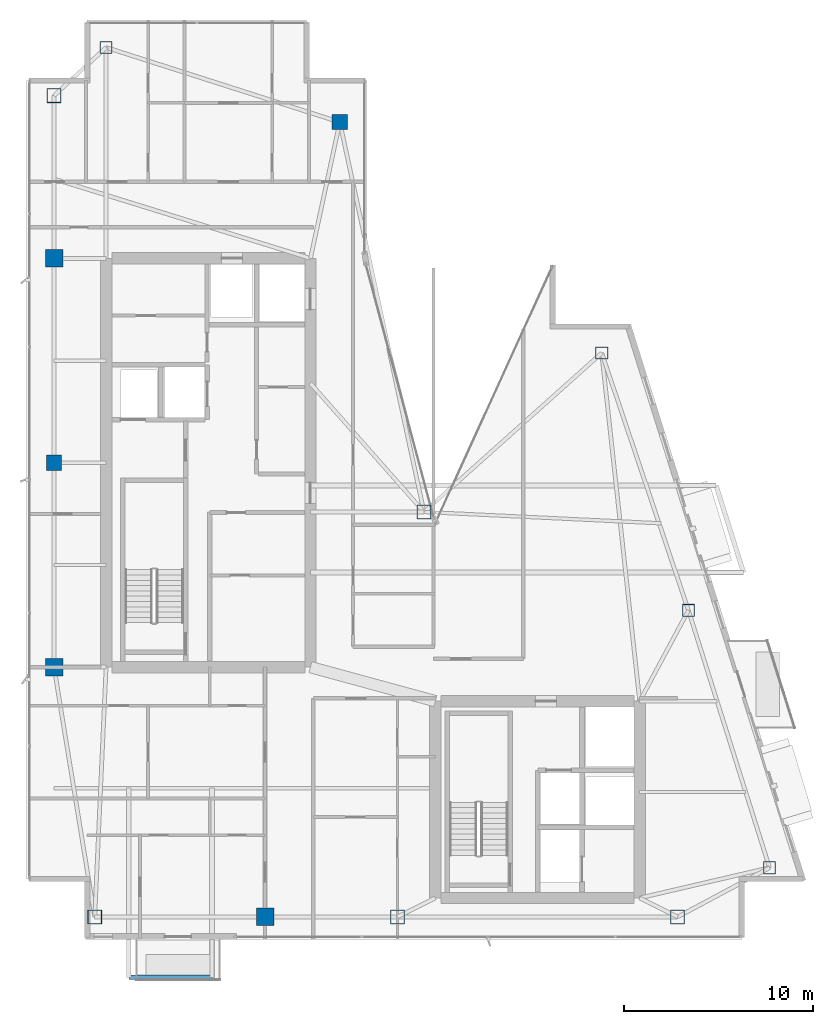
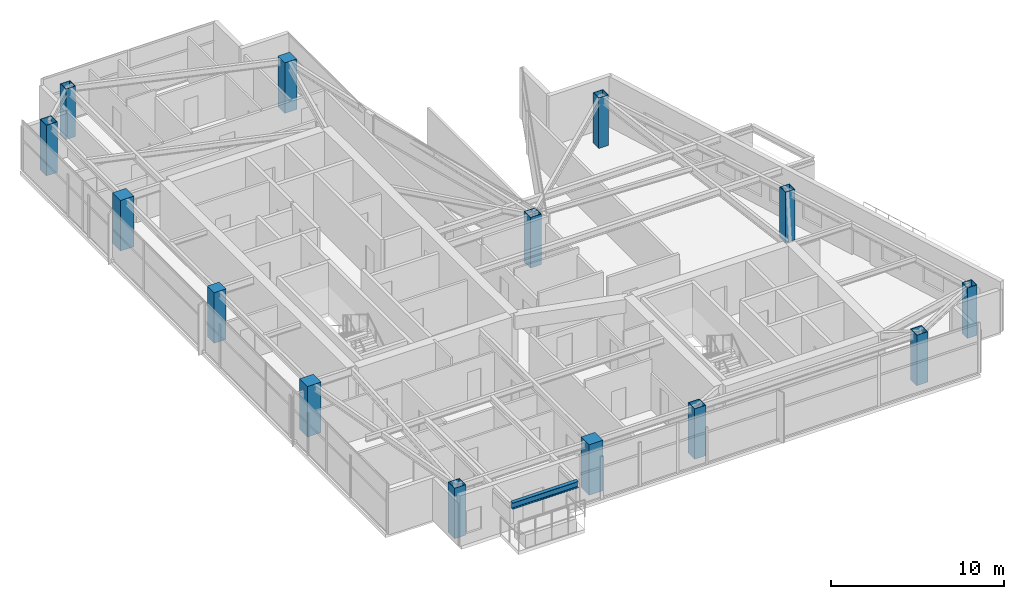
# One storey, part 1 of 27: 14 columns, 1 beam.
"""IFC4 building model written with IfcOpenShell, lengths in metres."""

import ifcopenshell
import ifcopenshell.guid

model = None  # the IFC model being written
_history = None  # IfcOwnerHistory: only IFC2X3 demands one
_inside = {}  # id of a spatial element -> (the spatial element, [elements in it])
_under = {}  # id of a project, library or spatial element -> (it, [spatial elements below it])
_declared = {}  # id of a project -> (the project, [libraries it declares])
_typed = {}  # id of a type object -> (the type object, [elements of that type])
_made_of = {}  # id of a material, layer set ... -> (it, [elements and type objects made of it])


def new_model(schema):
    """Start an empty IFC model of exactly this schema.

    Asked for "IFC4X3", IfcOpenShell would pick the latest addendum, in which some entities
    have other attributes; the version numbers below select the first issue.
    IFC2X3 requires an IfcOwnerHistory on every rooted entity: one is made here for all.
    """
    global model, _history
    if schema == "IFC4X3":
        model = ifcopenshell.file(schema_version=(4, 3, 0, 0))
    else:
        model = ifcopenshell.file(schema=schema)
    _inside.clear()
    _under.clear()
    _declared.clear()
    _typed.clear()
    _made_of.clear()
    _history = None
    if model.schema == "IFC2X3":
        org = make("IfcOrganization", Name="unknown")
        user = make(
            "IfcPersonAndOrganization",
            ThePerson=make("IfcPerson", FamilyName="unknown"),
            TheOrganization=org,
        )
        app = make(
            "IfcApplication",
            ApplicationDeveloper=org,
            Version="unknown",
            ApplicationFullName="unknown",
            ApplicationIdentifier="unknown",
        )
        _history = make(
            "IfcOwnerHistory",
            OwningUser=user,
            OwningApplication=app,
            ChangeAction="ADDED",
            CreationDate=0,
        )
    return model


def make(cls, **values):
    """One entity of the class cls with the attributes given. An attribute that is None is left unset."""
    return model.create_entity(
        cls, **{name: value for name, value in values.items() if value is not None}
    )


def rooted(cls, **values):
    """An entity with a GlobalId (a new one), such as an element, a storey or a relation."""
    return make(cls, GlobalId=ifcopenshell.guid.new(), OwnerHistory=_history, **values)


def si_unit(unit_type, name, prefix=None):
    """IfcSIUnit, for example si_unit("LENGTHUNIT", "METRE", prefix="MILLI")."""
    return make("IfcSIUnit", UnitType=unit_type, Prefix=prefix, Name=name)


def assignment(units):
    """IfcUnitAssignment: the units of a project."""
    return None if units is None else make("IfcUnitAssignment", Units=units)


def point(xyz):
    """IfcCartesianPoint."""
    return None if xyz is None else make("IfcCartesianPoint", Coordinates=xyz)


def direction(xyz):
    """IfcDirection."""
    return None if xyz is None else make("IfcDirection", DirectionRatios=xyz)


def frame(location, z_axis=None, x_axis=None):
    """IfcAxis2Placement3D, a coordinate frame: its origin and axes. An axis left out is left unset."""
    return make(
        "IfcAxis2Placement3D",
        Location=point(location),
        Axis=direction(z_axis),
        RefDirection=direction(x_axis),
    )


def frame_2d(location, x_axis=None):
    """IfcAxis2Placement2D, a coordinate frame in the plane: its origin and x axis."""
    return make(
        "IfcAxis2Placement2D", Location=point(location), RefDirection=direction(x_axis)
    )


def origin():
    """The frame at (0, 0, 0) with its axes left unset."""
    return frame((0.0, 0.0, 0.0))


def origin_2d():
    """The frame at (0, 0) in the plane with its x axis left unset."""
    return frame_2d((0.0, 0.0))


def place(relative_to, where):
    """IfcLocalPlacement: puts the frame where relative to a parent placement (None: the world)."""
    return make(
        "IfcLocalPlacement", PlacementRelTo=relative_to, RelativePlacement=where
    )


def context(
    kind, dimensions, precision=None, world=None, true_north=None, identifier=None
):
    """IfcGeometricRepresentationContext, for example the 3D "Model" context."""
    return make(
        "IfcGeometricRepresentationContext",
        ContextIdentifier=identifier,
        ContextType=kind,
        CoordinateSpaceDimension=dimensions,
        Precision=precision,
        WorldCoordinateSystem=world,
        TrueNorth=true_north,
    )


def subcontext(parent, identifier, kind, view, scale=None):
    """IfcGeometricRepresentationSubContext, for example "Body" below "Model"."""
    return make(
        "IfcGeometricRepresentationSubContext",
        ContextIdentifier=identifier,
        ContextType=kind,
        ParentContext=parent,
        TargetScale=scale,
        TargetView=view,
    )


def project(units=None, contexts=None):
    """IfcProject with its units and contexts."""
    return rooted(
        "IfcProject",
        Name="project",
        RepresentationContexts=contexts,
        UnitsInContext=assignment(units),
    )


def spatial(cls, under=None, at=None, **own):
    """A site, building, storey or space (cls), placed at a placement, below another one or the project."""
    s = rooted(cls, ObjectPlacement=at, **own)
    if under is not None:
        _under.setdefault(under.id(), (under, []))[1].append(s)
    return s


def profile(cls, at=None, kind="AREA", **sizes):
    """A parametric profile (cls). Its sizes go by their IFC names, for example OverallWidth=200.0."""
    return make(cls, ProfileType=kind, Position=at, **sizes)


def rectangle(**sizes):
    """IfcRectangleProfileDef."""
    return profile("IfcRectangleProfileDef", **sizes)


def hollow_rectangle(**sizes):
    """IfcRectangleHollowProfileDef."""
    return profile("IfcRectangleHollowProfileDef", **sizes)


def i_section(**sizes):
    """IfcIShapeProfileDef."""
    return profile("IfcIShapeProfileDef", **sizes)


def extrude(swept, where, along, depth):
    """IfcExtrudedAreaSolid: the profile swept, set in the frame where, extruded along a direction by depth."""
    return make(
        "IfcExtrudedAreaSolid",
        SweptArea=swept,
        Position=where,
        ExtrudedDirection=direction(along),
        Depth=depth,
    )


def shape(context_of_items, identifier, shape_type, items):
    """IfcShapeRepresentation: the items that make up one representation, for example the "Body"."""
    return make(
        "IfcShapeRepresentation",
        ContextOfItems=context_of_items,
        RepresentationIdentifier=identifier,
        RepresentationType=shape_type,
        Items=items,
    )


def material(Name=None, Category=None):
    """IfcMaterial."""
    return make("IfcMaterial", Name=Name, Category=Category)


def material_profile(
    of_material, cross_section, Name=None, Category=None, Priority=None
):
    """IfcMaterialProfile: a cross section and its material."""
    return make(
        "IfcMaterialProfile",
        Name=Name,
        Material=of_material,
        Profile=cross_section,
        Priority=Priority,
        Category=Category,
    )


def profile_set(profiles, Name=None, composite=None):
    """IfcMaterialProfileSet."""
    return make(
        "IfcMaterialProfileSet",
        Name=Name,
        MaterialProfiles=profiles,
        CompositeProfile=composite,
    )


def made_of(thing, what):
    """Note that an element or type object is made of a material, layer set ...; save() writes the relation."""
    if what is not None:
        _made_of.setdefault(what.id(), (what, []))[1].append(thing)
    return thing


def type_object(cls, material=None, **own):
    """A type object (cls), such as IfcWallType, which elements share."""
    return made_of(rooted(cls, **own), material)


def element(
    cls,
    number,
    at=None,
    inside=None,
    cuts=None,
    type_object=None,
    material=None,
    context=None,
    identifier="Body",
    shape_type=None,
    held_by="IfcProductDefinitionShape",
    body=None,
    shapes=None,
    **own,
):
    """One element of the class cls, such as IfcWall. Its Tag is "e" and its number.

    at: its placement. inside: the storey or other place that contains it. cuts: it is an
    opening in that element (IfcRelVoidsElement). A single representation is given by context,
    identifier, shape_type and body (its items); several are given by shapes. held_by: the class
    of the entity that holds the representations. save() writes the other relations.
    """
    e = rooted(cls, Tag="e%d" % number, ObjectPlacement=at, **own)
    if body is not None:
        shapes = [shape(context, identifier, shape_type, body)]
    if shapes is not None:
        e.Representation = make(held_by, Representations=shapes)
    if inside is not None:
        _inside.setdefault(inside.id(), (inside, []))[1].append(e)
    if cuts is not None:
        rooted(
            "IfcRelVoidsElement", RelatingBuildingElement=cuts, RelatedOpeningElement=e
        )
    if type_object is not None:
        _typed.setdefault(type_object.id(), (type_object, []))[1].append(e)
    return made_of(e, material)


def aggregate(whole, parts):
    """IfcRelAggregates: a whole, such as a stair, and the parts it consists of."""
    return rooted("IfcRelAggregates", RelatingObject=whole, RelatedObjects=parts)


def save(model, path):
    """Write the relations noted so far, then the file.

    IfcRelAggregates (storeys below a building ...), IfcRelContainedInSpatialStructure (elements
    in a storey), IfcRelDefinesByType, IfcRelAssociatesMaterial and IfcRelDeclares: one each for
    every whole, place, type object, material and project.
    """
    for whole, parts in _under.values():
        aggregate(whole, parts)
    for where, things in _inside.values():
        rooted(
            "IfcRelContainedInSpatialStructure",
            RelatedElements=things,
            RelatingStructure=where,
        )
    for kind, things in _typed.values():
        rooted("IfcRelDefinesByType", RelatedObjects=things, RelatingType=kind)
    for what, things in _made_of.values():
        rooted("IfcRelAssociatesMaterial", RelatedObjects=things, RelatingMaterial=what)
    for by, libraries in _declared.values():
        rooted("IfcRelDeclares", RelatingContext=by, RelatedDefinitions=libraries)
    model.write(path)


model = new_model("IFC4")

# Units and contexts
model_context = context("Model", 3, precision=1e-05, world=origin(), true_north=direction((0.0, 1.0)))
body_context = subcontext(model_context, "Body", "Model", "MODEL_VIEW")
ifc_project = project(units=[si_unit("LENGTHUNIT", "METRE"), si_unit("AREAUNIT", "SQUARE_METRE"), si_unit("VOLUMEUNIT", "CUBIC_METRE"), si_unit("PLANEANGLEUNIT", "RADIAN"), si_unit("MASSUNIT", "GRAM", prefix="KILO")], contexts=[model_context])

# Site, building, storey
site_placement = place(None, origin())
site = spatial("IfcSite", under=ifc_project, at=site_placement, CompositionType="ELEMENT")
building_placement = place(site_placement, origin())
building = spatial("IfcBuilding", under=site, at=building_placement, Name="Calvorn Quay Hotel", CompositionType="ELEMENT")
storey_placement = place(building_placement, frame((0.0, 0.0, 298.699951171875)))
storey = spatial("IfcBuildingStorey", under=building, at=storey_placement, Name="L74", CompositionType="ELEMENT", Elevation=298.699951171875)

# Columns
ifc_material_1 = material(Name="Concrete C45", Category="concrete")
ifc_material_profile_1 = material_profile(ifc_material_1, rectangle(XDim=0.800048828125, YDim=0.800048828125, at=origin_2d()), Name="RC800x800")
ifc_profile_set_1 = profile_set([ifc_material_profile_1], Name="Concrete C45")
column_type_1 = type_object("IfcColumnType", Name="COL-RC-800", PredefinedType="COLUMN", material=ifc_profile_set_1)
for number, where, z_axis, x_axis, name in (
    (1, (1.449951171875, 27.60009765625, 0.0), (0.0, 0.0, 1.0), (1.0, 0.0, 0.0), "Column C-W3 (L74)"),
    (2, (16.550048828125, 45.60009765625, 0.0), (0.0, 0.0, 1.0), (1.0, 0.0, 0.0), "Column C-IC1 (L74)"),
):
    element("IfcColumn", number, at=place(storey_placement, frame(where, z_axis=z_axis, x_axis=x_axis)), inside=storey, type_object=column_type_1, Name=name, PredefinedType="COLUMN", context=body_context, shape_type="SweptSolid", body=[
        extrude(rectangle(XDim=0.800048828125, YDim=0.800048828125, at=origin_2d()), origin(), (0.0, 0.0, 1.0), 3.56005859375),
    ])
ifc_material_2 = material(Name="Concrete C45", Category="concrete")
ifc_material_profile_2 = material_profile(ifc_material_2, rectangle(XDim=0.919921875, YDim=0.919921875, at=origin_2d()), Name="RC920x920")
ifc_profile_set_2 = profile_set([ifc_material_profile_2], Name="Concrete C45")
column_type_2 = type_object("IfcColumnType", Name="COL-RC-920", PredefinedType="COLUMN", material=ifc_profile_set_2)
for number, where, z_axis, x_axis, name in (
    (3, (1.449951171875, 16.800048828125, 0.0), (0.0, 0.0, 1.0), (1.0, 0.0, 0.0), "Column C-W2 (L74)"),
    (4, (1.449951171875, 38.39990234375, 0.0), (0.0, 0.0, 1.0), (1.0, 0.0, 0.0), "Column C-W4 (L74)"),
    (5, (12.60009765625, 3.60009765625, 0.0), (0.0, 0.0, 1.0), (1.0, 0.0, 0.0), "Column C-S1 (L74)"),
):
    element("IfcColumn", number, at=place(storey_placement, frame(where, z_axis=z_axis, x_axis=x_axis)), inside=storey, type_object=column_type_2, Name=name, PredefinedType="COLUMN", context=body_context, shape_type="SweptSolid", body=[
        extrude(rectangle(XDim=0.919921875, YDim=0.919921875, at=origin_2d()), origin(), (0.0, 0.0, 1.0), 3.56005859375),
    ])
ifc_material_3 = material(Name="Steel Q390GJC", Category="steel")
ifc_material_profile_3 = material_profile(ifc_material_3, hollow_rectangle(XDim=0.75, YDim=0.75, WallThickness=0.031982421875, at=origin_2d()), Name="BOX750x750x32")
ifc_profile_set_3 = profile_set([ifc_material_profile_3], Name="Steel Q390GJC")
column_type_3 = type_object("IfcColumnType", Name="COL-STL-Z3", PredefinedType="COLUMN", material=ifc_profile_set_3)
for number, where, z_axis, x_axis, name in (
    (6, (3.60009765625, 3.60009765625, 0.0), (0.0, 0.0, 1.0), (1.0, 0.0, 0.0), "Column C-W1 (L74)"),
    (7, (1.449951171875, 47.0, 0.0), (0.0, 0.0, 1.0), (1.0, 0.0, 0.0), "Column C-W5 (L74)"),
    (8, (21.0, 25.0, 0.0), (0.0, 0.0, 1.0), (1.0, 0.0, 0.0), "Column C-IC2 (L74)"),
    (9, (19.60009765625, 3.60009765625, 0.0), (0.0, 0.0, 1.0), (1.0, 0.0, 0.0), "Column C-S2 (L74)"),
    (10, (34.39990234375, 3.60009765625, 0.0), (0.0, 0.0, 1.0), (1.0, 0.0, 0.0), "Column C-S3 (L74)"),
):
    element("IfcColumn", number, at=place(storey_placement, frame(where, z_axis=z_axis, x_axis=x_axis)), inside=storey, type_object=column_type_3, Name=name, PredefinedType="COLUMN", context=body_context, shape_type="SweptSolid", body=[
        extrude(hollow_rectangle(XDim=0.75, YDim=0.75, WallThickness=0.031982421875, at=origin_2d()), origin(), (0.0, 0.0, 1.0), 3.56005859375),
    ])
ifc_material_4 = material(Name="Steel Q355B", Category="steel")
ifc_material_profile_4 = material_profile(ifc_material_4, hollow_rectangle(XDim=0.64990234375, YDim=0.64990234375, WallThickness=0.028076171875, at=origin_2d()), Name="BOX650x650x28")
ifc_profile_set_4 = profile_set([ifc_material_profile_4], Name="Steel Q355B")
column_type_4 = type_object("IfcColumnType", Name="COL-STL-Z4", PredefinedType="COLUMN", material=ifc_profile_set_4)
for number, where, z_axis, x_axis, name in (
    (11, (4.199951171875, 49.550048828125, 0.0), (0.0, 0.0, 1.0), (1.0, 0.0, 0.0), "Column C-NW1 (L74)"),
    (12, (39.260986328125, 6.199951171875, 0.0), (0.0, 0.0, 1.0), (1.0, 0.0, 0.0), "Column C-ET1 (L74)"),
    (13, (34.97607421875, 19.800048828125, 0.0), (0.0, 0.0, 1.0), (1.0, 0.0, 0.0), "Column C-ET2 (L74)"),
    (14, (30.39111328125, 33.39990234375, 0.0), (0.0, 0.0, 1.0), (1.0, 0.0, 0.0), "Column C-ET3 (L74)"),
):
    element("IfcColumn", number, at=place(storey_placement, frame(where, z_axis=z_axis, x_axis=x_axis)), inside=storey, type_object=column_type_4, Name=name, PredefinedType="COLUMN", context=body_context, shape_type="SweptSolid", body=[
        extrude(hollow_rectangle(XDim=0.64990234375, YDim=0.64990234375, WallThickness=0.028076171875, at=origin_2d()), origin(), (0.0, 0.0, 1.0), 3.56005859375),
    ])

# Beam
ifc_material_5 = material(Name="Steel Q355B", Category="steel")
ifc_material_profile_5 = material_profile(ifc_material_5, i_section(OverallWidth=0.25, OverallDepth=0.449951171875, WebThickness=0.011962890625, FlangeThickness=0.01611328125, FilletRadius=0.01611328125, at=origin_2d()), Name="HN450x250x12x16")
ifc_profile_set_5 = profile_set([ifc_material_profile_5], Name="Steel Q355B")
beam_type = type_object("IfcBeamType", Name="BM-CANT-BALC", PredefinedType="BEAM", material=ifc_profile_set_5)
beam_placement = place(storey_placement, frame((5.39990234375, 0.409912109375, 3.31494140625), z_axis=(1.0, 0.0, 0.0), x_axis=(0.0, 1.0, 0.0)))
element("IfcBeam", 15, at=beam_placement, inside=storey, type_object=beam_type, Name="Beam BCBO-L75-2", PredefinedType="BEAM", context=body_context, shape_type="SweptSolid", body=[
    extrude(i_section(OverallWidth=0.25, OverallDepth=0.449951171875, WebThickness=0.011962890625, FlangeThickness=0.01611328125, FilletRadius=0.01611328125, at=origin_2d()), origin(), (0.0, 0.0, 1.0), 4.400146484375),
])

save(model, "model.ifc")
